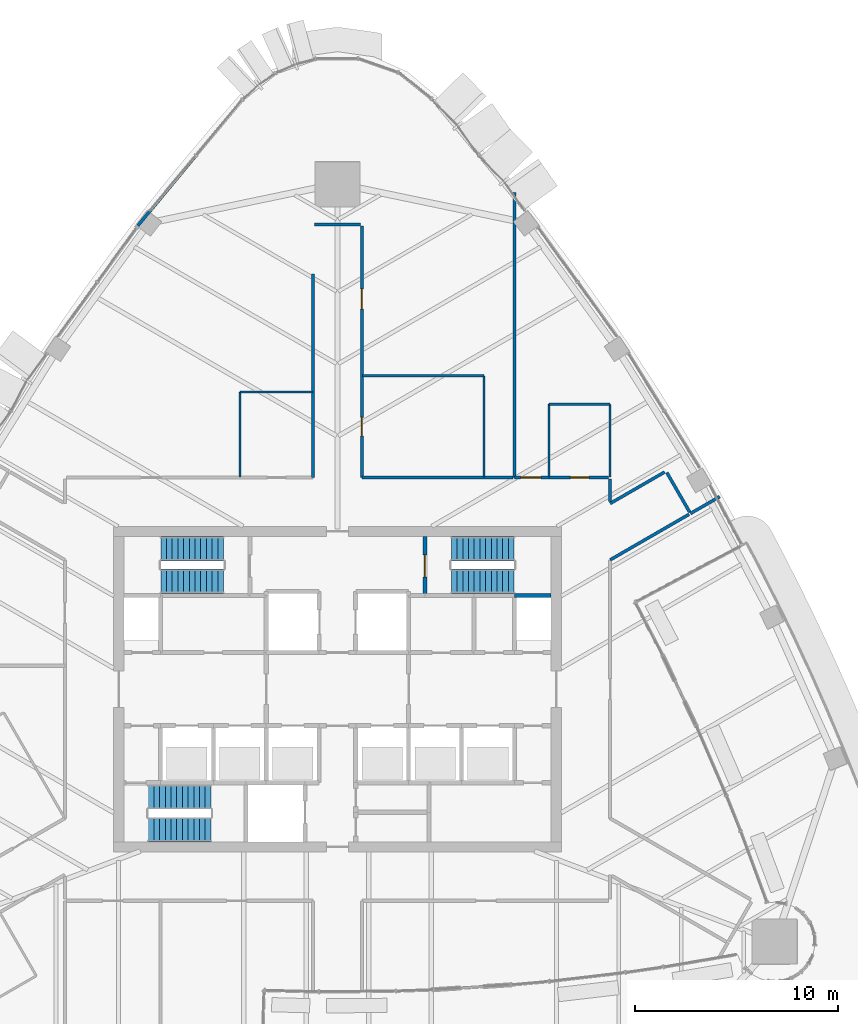
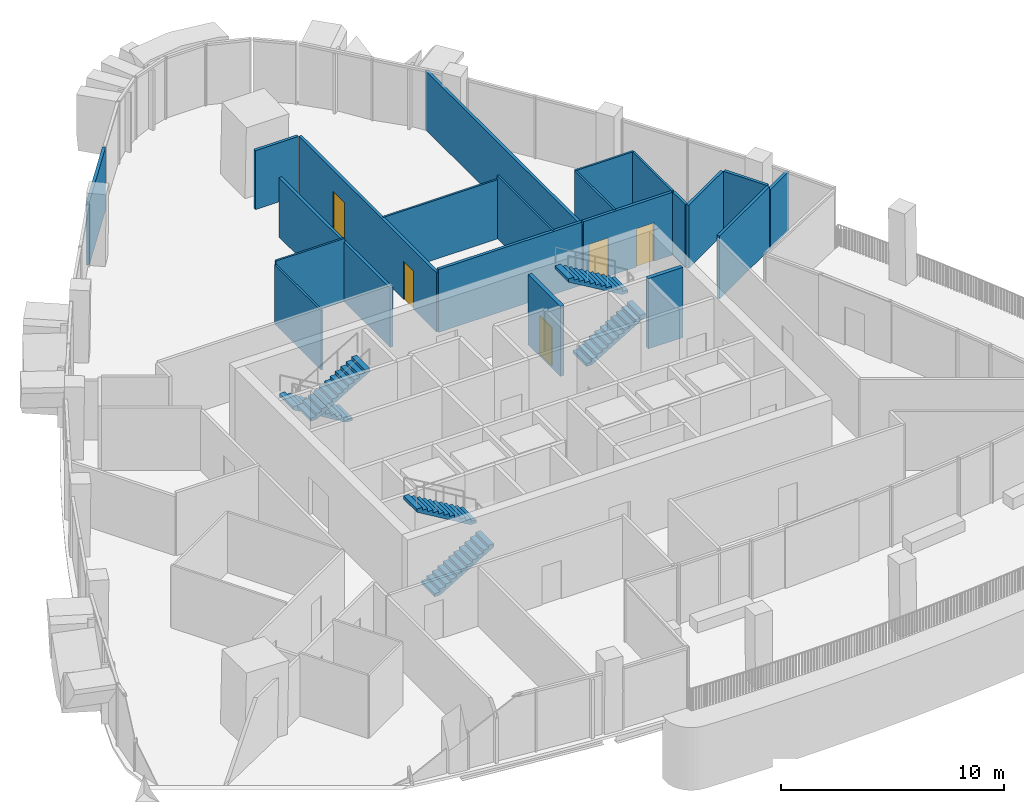
# One storey, part 16 of 21: 21 walls, 6 stair flights, 5 doors, 5 openings, 3 elements without a shape of their own.
"""IFC4 building model written with IfcOpenShell, lengths in metres."""

from ifc_helpers import new_model, si_unit, direction, frame, frame_2d, origin, place, context, subcontext, project, spatial, polyline, rectangle, outline, extrude, material, layer, layer_set, type_object, element, fill, aggregate, save


model = new_model("IFC4")

# Units and contexts
model_context = context("Model", 3, precision=1e-05, world=origin(), true_north=direction((0.0, 1.0)))
body_context = subcontext(model_context, "Body", "Model", "MODEL_VIEW")
ifc_project = project(units=[si_unit("LENGTHUNIT", "METRE"), si_unit("AREAUNIT", "SQUARE_METRE"), si_unit("VOLUMEUNIT", "CUBIC_METRE"), si_unit("PLANEANGLEUNIT", "RADIAN"), si_unit("MASSUNIT", "GRAM", prefix="KILO")], contexts=[model_context])

# Site, building, storey
site_placement = place(None, origin())
site = spatial("IfcSite", under=ifc_project, at=site_placement, CompositionType="ELEMENT")
building_placement = place(site_placement, origin())
building = spatial("IfcBuilding", under=site, at=building_placement, Name="Sierra Prisma Convention Tower", CompositionType="ELEMENT")
storey_placement = place(building_placement, frame((0.0, 0.0, 259.0)))
storey = spatial("IfcBuildingStorey", under=building, at=storey_placement, Name="L58", CompositionType="ELEMENT", Elevation=259.0)

# Walls
ifc_material_1 = material(Name="Gypsum board partition", Category="gypsum")
ifc_layer_1 = layer(ifc_material_1, 0.10009765625)
ifc_layer_set_1 = layer_set([ifc_layer_1], Name="Bathroom partition 100")
wall_type_1 = type_object("IfcWallType", Name="Bathroom partition 100", PredefinedType="PARTITIONING", material=ifc_layer_set_1)
wall_1_placement = place(storey_placement, frame((-4.800048828125, 10.429931640625, 0.0), z_axis=(0.0, 0.0, 1.0), x_axis=(0.0, 1.0, 0.0)))
element("IfcWall", 1, at=wall_1_placement, inside=storey, type_object=wall_type_1, Name="Partition L58 bath 7", PredefinedType="PARTITIONING", context=body_context, shape_type="SweptSolid", body=[
    extrude(rectangle(XDim=4.170166015625, YDim=0.10009765625, at=frame_2d((2.0849609375, 0.0))), origin(), (0.0, 0.0, 1.0), 3.2470703125),
])
wall_2_placement = place(storey_placement, frame((-4.800048828125, 14.60009765625, 0.0), z_axis=(0.0, 0.0, 1.0), x_axis=(1.0, 0.0, 0.0)))
element("IfcWall", 2, at=wall_2_placement, inside=storey, type_object=wall_type_1, Name="Partition L58 bath 8", PredefinedType="PARTITIONING", context=body_context, shape_type="SweptSolid", body=[
    extrude(rectangle(XDim=3.570068359375, YDim=0.10009765625, at=frame_2d((1.78515625, 0.0))), origin(), (0.0, 0.0, 1.0), 3.449951171875),
])
wall_3_placement = place(storey_placement, frame((1.22998046875, 15.39990234375, 0.0), z_axis=(0.0, 0.0, 1.0), x_axis=(1.0, 0.0, 0.0)))
element("IfcWall", 3, at=wall_3_placement, inside=storey, type_object=wall_type_1, Name="Partition L58 bath 9", PredefinedType="PARTITIONING", context=body_context, shape_type="SweptSolid", body=[
    extrude(rectangle(XDim=5.969970703125, YDim=0.10009765625, at=frame_2d((2.98486328125, 0.0))), origin(), (0.0, 0.0, 1.0), 3.2470703125),
])
wall_4_placement = place(storey_placement, frame((7.199951171875, 15.39990234375, 0.0), z_axis=(0.0, 0.0, 1.0), x_axis=(0.0, -1.0, 0.0)))
element("IfcWall", 4, at=wall_4_placement, inside=storey, type_object=wall_type_1, Name="Partition L58 bath 10", PredefinedType="PARTITIONING", context=body_context, shape_type="SweptSolid", body=[
    extrude(rectangle(XDim=4.969970703125, YDim=0.10009765625, at=frame_2d((2.48486328125, 0.0))), origin(), (0.0, 0.0, 1.0), 3.449951171875),
])
wall_5_placement = place(storey_placement, frame((10.39990234375, 10.429931640625, 0.0), z_axis=(0.0, 0.0, 1.0), x_axis=(0.0, 1.0, 0.0)))
element("IfcWall", 5, at=wall_5_placement, inside=storey, type_object=wall_type_1, Name="Partition L58 bath 11", PredefinedType="PARTITIONING", context=body_context, shape_type="SweptSolid", body=[
    extrude(rectangle(XDim=3.570068359375, YDim=0.10009765625, at=frame_2d((1.78515625, 0.0))), origin(), (0.0, 0.0, 1.0), 3.449951171875),
])
wall_6_placement = place(storey_placement, frame((10.39990234375, 14.0, 0.0), z_axis=(0.0, 0.0, 1.0), x_axis=(1.0, 0.0, 0.0)))
element("IfcWall", 6, at=wall_6_placement, inside=storey, type_object=wall_type_1, Name="Partition L58 bath 12", PredefinedType="PARTITIONING", context=body_context, shape_type="SweptSolid", body=[
    extrude(rectangle(XDim=3.0, YDim=0.10009765625, at=frame_2d((1.5, 0.0))), origin(), (0.0, 0.0, 1.0), 3.449951171875),
])
wall_7_placement = place(storey_placement, frame((13.39990234375, 14.0, 0.0), z_axis=(0.0, 0.0, 1.0), x_axis=(0.0, -1.0, 0.0)))
element("IfcWall", 7, at=wall_7_placement, inside=storey, type_object=wall_type_1, Name="Partition L58 bath 13", PredefinedType="PARTITIONING", context=body_context, shape_type="SweptSolid", body=[
    extrude(rectangle(XDim=3.570068359375, YDim=0.10009765625, at=frame_2d((1.78515625, 0.0))), origin(), (0.0, 0.0, 1.0), 3.443115234375),
])

# Wall, opening, door
ifc_material_2 = material(Name="Concrete C30/37", Category="concrete")
ifc_layer_2 = layer(ifc_material_2, 0.199951171875)
ifc_layer_set_2 = layer_set([ifc_layer_2], Name="Core wall RC 200 C30/37")
wall_type_2 = type_object("IfcWallType", Name="Core wall RC 200 C30/37", PredefinedType="SOLIDWALL", material=ifc_layer_set_2)
wall_8_placement = place(storey_placement, frame((4.300048828125, 7.5, 0.0), z_axis=(0.0, 0.0, 1.0), x_axis=(0.0, -1.0, 0.0)))
wall_8 = element("IfcWall", 8, at=wall_8_placement, inside=storey, type_object=wall_type_2, Name="Core wall L58 50", PredefinedType="SOLIDWALL", context=body_context, shape_type="SweptSolid", body=[
    extrude(rectangle(XDim=2.89990234375, YDim=0.199951171875, at=frame_2d((1.449951171875, 0.0))), origin(), (0.0, 0.0, 1.0), 3.85009765625),
])
opening_1_placement = place(wall_8_placement, frame((0.89990234375, 0.0, 0.0)))
opening_1 = element("IfcOpeningElement", 9, at=opening_1_placement, cuts=wall_8, Name="Opening L58-D021", PredefinedType="OPENING", context=body_context, shape_type="SweptSolid", body=[
    extrude(rectangle(XDim=1.10009765625, YDim=2.10009765625, at=frame_2d((0.550048828125, 1.050048828125))), frame((0.0, 0.10009765625, 0.0), z_axis=(0.0, -1.0, 0.0), x_axis=(1.0, 0.0, 0.0)), (0.0, 0.0, 1.0), 0.199951171875),
])
ifc_material_3 = material(Name="Steel fire door leaf", Category="steel")
door_type_1 = type_object("IfcDoorType", Name="Door 1100x2100 FD90S", OperationType="SINGLE_SWING_LEFT", PredefinedType="DOOR", material=ifc_material_3)
door_1_placement = place(opening_1_placement, origin())
door_1 = element("IfcDoor", 10, at=door_1_placement, inside=storey, type_object=door_type_1, Name="Door L58 34", OperationType="SINGLE_SWING_RIGHT", OverallHeight=2.10009765625, OverallWidth=1.10009765625, PredefinedType="DOOR", context=body_context, shape_type="SweptSolid", body=[
    extrude(rectangle(XDim=1.10009765625, YDim=2.10009765625, at=frame_2d((0.550048828125, 1.050048828125))), frame((0.0, 0.02490234375, 0.0), z_axis=(0.0, -1.0, 0.0), x_axis=(1.0, 0.0, 0.0)), (0.0, 0.0, 1.0), 0.050048828125),
])
fill(opening_1, door_1)

# Walls
wall_9_placement = place(storey_placement, frame((10.5, 4.60009765625, 0.0), z_axis=(0.0, 0.0, 1.0), x_axis=(-1.0, 0.0, 0.0)))
element("IfcWall", 11, at=wall_9_placement, inside=storey, type_object=wall_type_2, Name="Core wall L58 65", PredefinedType="SOLIDWALL", context=body_context, shape_type="SweptSolid", body=[
    extrude(rectangle(XDim=1.800048828125, YDim=0.199951171875, at=frame_2d((0.89990234375, 0.0))), origin(), (0.0, 0.0, 1.0), 3.85009765625),
])
ifc_material_4 = material(Name="Gypsum board partition", Category="gypsum")
ifc_layer_3 = layer(ifc_material_4, 0.14990234375)
ifc_layer_set_3 = layer_set([ifc_layer_3], Name="Corridor wall 150 gypsum EI 60")
wall_type_3 = type_object("IfcWallType", Name="Corridor wall 150 gypsum EI 60", PredefinedType="PARTITIONING", material=ifc_layer_set_3)
wall_10_placement = place(storey_placement, frame((-1.199951171875, 20.39990234375, 0.0), z_axis=(0.0, 0.0, 1.0), x_axis=(0.0, -1.0, 0.0)))
element("IfcWall", 12, at=wall_10_placement, inside=storey, type_object=wall_type_3, Name="Partition L58 corr 12", PredefinedType="PARTITIONING", context=body_context, shape_type="SweptSolid", body=[
    extrude(rectangle(XDim=10.0, YDim=0.14990234375, at=frame_2d((5.0, 0.0))), origin(), (0.0, 0.0, 1.0), 3.2470703125),
])
wall_11_placement = place(storey_placement, frame((1.1201171875, 22.839599609375, 0.0), z_axis=(0.0, 0.0, 1.0), x_axis=(-1.0, 0.0, 0.0)))
element("IfcWall", 13, at=wall_11_placement, inside=storey, type_object=wall_type_3, Name="Partition L58 corr 14", PredefinedType="PARTITIONING", context=body_context, shape_type="SweptSolid", body=[
    extrude(rectangle(XDim=2.240234375, YDim=0.14990234375, at=frame_2d((1.1201171875, 0.0))), origin(), (0.0, 0.0, 1.0), 3.23291015625),
])
wall_12_placement = place(storey_placement, frame((8.6201171875, 10.39990234375, 0.0), z_axis=(0.0, 0.0, 1.0), x_axis=(-1.0, 0.0, 0.0)))
element("IfcWall", 14, at=wall_12_placement, inside=storey, type_object=wall_type_3, Name="Partition L58 corr 17", PredefinedType="PARTITIONING", context=body_context, shape_type="SweptSolid", body=[
    extrude(rectangle(XDim=7.420166015625, YDim=0.14990234375, at=frame_2d((3.7099609375, 0.0))), origin(), (0.0, 0.0, 1.0), 3.449951171875),
])

# Wall, openings, doors
wall_13_placement = place(storey_placement, frame((1.199951171875, 10.39990234375, 0.0), z_axis=(0.0, 0.0, 1.0), x_axis=(0.0, 1.0, 0.0)))
wall_13 = element("IfcWall", 15, at=wall_13_placement, inside=storey, type_object=wall_type_3, Name="Partition L58 corr 18", PredefinedType="PARTITIONING", context=body_context, shape_type="SweptSolid", body=[
    extrude(rectangle(XDim=12.35986328125, YDim=0.14990234375, at=frame_2d((6.179931640625, 0.0))), origin(), (0.0, 0.0, 1.0), 3.2470703125),
])
opening_2_placement = place(wall_13_placement, frame((2.050048828125, 0.0, 0.0)))
opening_2 = element("IfcOpeningElement", 16, at=opening_2_placement, cuts=wall_13, Name="Opening L58-D031", PredefinedType="OPENING", context=body_context, shape_type="SweptSolid", body=[
    extrude(rectangle(XDim=0.89990234375, YDim=2.10009765625, at=frame_2d((0.449951171875, 1.050048828125))), frame((0.0, 0.074951171875, 0.0), z_axis=(0.0, -1.0, 0.0), x_axis=(1.0, 0.0, 0.0)), (0.0, 0.0, 1.0), 0.14990234375),
])
opening_3_placement = place(wall_13_placement, frame((8.27001953125, 0.0, 0.0)))
opening_3 = element("IfcOpeningElement", 17, at=opening_3_placement, cuts=wall_13, Name="Opening L58-D032", PredefinedType="OPENING", context=body_context, shape_type="SweptSolid", body=[
    extrude(rectangle(XDim=1.0, YDim=2.10009765625, at=frame_2d((0.5, 1.050048828125))), frame((0.0, 0.074951171875, 0.0), z_axis=(0.0, -1.0, 0.0), x_axis=(1.0, 0.0, 0.0)), (0.0, 0.0, 1.0), 0.14990234375),
])
ifc_material_5 = material(Name="Steel fire door leaf", Category="steel")
door_type_2 = type_object("IfcDoorType", Name="Door 1000x2100 FD30S", OperationType="SINGLE_SWING_LEFT", PredefinedType="DOOR", material=ifc_material_5)
door_2_placement = place(opening_3_placement, origin())
door_2 = element("IfcDoor", 18, at=door_2_placement, inside=storey, type_object=door_type_2, Name="Door L58 4", OperationType="SINGLE_SWING_RIGHT", OverallHeight=2.10009765625, OverallWidth=1.0, PredefinedType="DOOR", context=body_context, shape_type="SweptSolid", body=[
    extrude(rectangle(XDim=1.0, YDim=2.10009765625, at=frame_2d((0.5, 1.050048828125))), frame((0.0, 0.02490234375, 0.0), z_axis=(0.0, -1.0, 0.0), x_axis=(1.0, 0.0, 0.0)), (0.0, 0.0, 1.0), 0.050048828125),
])
fill(opening_3, door_2)
ifc_material_6 = material(Name="Steel fire door leaf", Category="steel")
door_type_3 = type_object("IfcDoorType", Name="Door 900x2100 FD30S", OperationType="SINGLE_SWING_LEFT", PredefinedType="DOOR", material=ifc_material_6)
door_3_placement = place(opening_2_placement, origin())
door_3 = element("IfcDoor", 19, at=door_3_placement, inside=storey, type_object=door_type_3, Name="Door L58 3", OperationType="SINGLE_SWING_LEFT", OverallHeight=2.10009765625, OverallWidth=0.89990234375, PredefinedType="DOOR", context=body_context, shape_type="SweptSolid", body=[
    extrude(rectangle(XDim=0.89990234375, YDim=2.10009765625, at=frame_2d((0.449951171875, 1.050048828125))), frame((0.0, 0.02490234375, 0.0), z_axis=(0.0, -1.0, 0.0), x_axis=(1.0, 0.0, 0.0)), (0.0, 0.0, 1.0), 0.050048828125),
])
fill(opening_2, door_3)

wall_14_placement = place(storey_placement, frame((13.320068359375, 10.39990234375, 0.0), z_axis=(0.0, 0.0, 1.0), x_axis=(-1.0, 0.0, 0.0)))
wall_14 = element("IfcWall", 20, at=wall_14_placement, inside=storey, type_object=wall_type_3, Name="Partition L58 corr 19", PredefinedType="PARTITIONING", context=body_context, shape_type="SweptSolid", body=[
    extrude(rectangle(XDim=4.6201171875, YDim=0.14990234375, at=frame_2d((2.31005859375, 0.0))), origin(), (0.0, 0.0, 1.0), 3.443115234375),
])
opening_4_placement = place(wall_14_placement, frame((0.969970703125, 0.0, 0.0)))
opening_4 = element("IfcOpeningElement", 21, at=opening_4_placement, cuts=wall_14, Name="Opening L58-D029", PredefinedType="OPENING", context=body_context, shape_type="SweptSolid", body=[
    extrude(rectangle(XDim=0.89990234375, YDim=2.10009765625, at=frame_2d((0.449951171875, 1.050048828125))), frame((0.0, 0.074951171875, 0.0), z_axis=(0.0, -1.0, 0.0), x_axis=(1.0, 0.0, 0.0)), (0.0, 0.0, 1.0), 0.14990234375),
])
opening_5_placement = place(wall_14_placement, frame((3.320068359375, 0.0, 0.0)))
opening_5 = element("IfcOpeningElement", 22, at=opening_5_placement, cuts=wall_14, Name="Opening L58-D030", PredefinedType="OPENING", context=body_context, shape_type="SweptSolid", body=[
    extrude(rectangle(XDim=1.0, YDim=2.10009765625, at=frame_2d((0.5, 1.050048828125))), frame((0.0, 0.074951171875, 0.0), z_axis=(0.0, -1.0, 0.0), x_axis=(1.0, 0.0, 0.0)), (0.0, 0.0, 1.0), 0.14990234375),
])
door_4_placement = place(opening_5_placement, origin())
door_4 = element("IfcDoor", 23, at=door_4_placement, inside=storey, type_object=door_type_2, Name="Door L58 2", OperationType="SINGLE_SWING_LEFT", OverallHeight=2.10009765625, OverallWidth=1.0, PredefinedType="DOOR", context=body_context, shape_type="SweptSolid", body=[
    extrude(rectangle(XDim=1.0, YDim=2.10009765625, at=frame_2d((0.5, 1.050048828125))), frame((0.0, 0.02490234375, 0.0), z_axis=(0.0, -1.0, 0.0), x_axis=(1.0, 0.0, 0.0)), (0.0, 0.0, 1.0), 0.050048828125),
])
fill(opening_5, door_4)
door_5_placement = place(opening_4_placement, origin())
door_5 = element("IfcDoor", 24, at=door_5_placement, inside=storey, type_object=door_type_3, Name="Door L58 1", OperationType="SINGLE_SWING_RIGHT", OverallHeight=2.10009765625, OverallWidth=0.89990234375, PredefinedType="DOOR", context=body_context, shape_type="SweptSolid", body=[
    extrude(rectangle(XDim=0.89990234375, YDim=2.10009765625, at=frame_2d((0.449951171875, 1.050048828125))), frame((0.0, 0.02490234375, 0.0), z_axis=(0.0, -1.0, 0.0), x_axis=(1.0, 0.0, 0.0)), (0.0, 0.0, 1.0), 0.050048828125),
])
fill(opening_4, door_5)

# Walls
wall_15_placement = place(storey_placement, frame((16.078369140625, 10.66845703125, 0.0), z_axis=(0.0, 0.0, 1.0), x_axis=(-0.866029156965, -0.499993499245, 0.0)))
element("IfcWall", 25, at=wall_15_placement, inside=storey, type_object=wall_type_3, Name="Partition L58 corr 22", PredefinedType="PARTITIONING", context=body_context, shape_type="SweptSolid", body=[
    extrude(rectangle(XDim=3.0927734375, YDim=0.14990234375, at=frame_2d((1.54638671875, 0.0))), origin(), (0.0, 0.0, 1.0), 3.449951171875),
])
wall_16_placement = place(storey_placement, frame((13.39990234375, 9.213623046875, 0.0), z_axis=(0.0, 0.0, 1.0), x_axis=(0.0, 1.0, 0.0)))
element("IfcWall", 26, at=wall_16_placement, inside=storey, type_object=wall_type_3, Name="Partition L58 corr 23", PredefinedType="PARTITIONING", context=body_context, shape_type="SweptSolid", body=[
    extrude(rectangle(XDim=1.1064453125, YDim=0.14990234375, at=frame_2d((0.55322265625, 0.0))), origin(), (0.0, 0.0, 1.0), 3.449951171875),
])
wall_17_placement = place(storey_placement, frame((17.3076171875, 8.69921875, 0.0), z_axis=(0.0, 0.0, 1.0), x_axis=(-0.500030632641, 0.866007717299, 0.0)))
element("IfcWall", 27, at=wall_17_placement, inside=storey, type_object=wall_type_3, Name="Partition L58 corr 24", PredefinedType="PARTITIONING", context=body_context, shape_type="SweptSolid", body=[
    extrude(rectangle(XDim=2.239990234375, YDim=0.14990234375, at=frame_2d((1.1201171875, 0.0))), origin(), (0.0, 0.0, 1.0), 3.449951171875),
])
wall_18_placement = place(storey_placement, frame((13.39990234375, 6.350830078125, 0.0), z_axis=(0.0, 0.0, 1.0), x_axis=(0.866020361036, 0.500008734195, 0.0)))
element("IfcWall", 28, at=wall_18_placement, inside=storey, type_object=wall_type_3, Name="Partition L58 corr 27", PredefinedType="PARTITIONING", context=body_context, shape_type="SweptSolid", body=[
    extrude(rectangle(XDim=4.478515625, YDim=0.14990234375, at=frame_2d((2.2392578125, 0.0))), origin(), (0.0, 0.0, 1.0), 3.449951171875),
])
ifc_material_7 = material(Name="Gypsum board partition", Category="gypsum")
ifc_layer_4 = layer(ifc_material_7, 0.14990234375)
ifc_layer_set_4 = layer_set([ifc_layer_4], Name="Party wall 150 gypsum")
wall_type_4 = type_object("IfcWallType", Name="Party wall 150 gypsum", PredefinedType="PARTITIONING", material=ifc_layer_set_4)
wall_19_placement = place(storey_placement, frame((-9.806396484375, 22.77734375, 0.0), z_axis=(0.0, 0.0, 1.0), x_axis=(0.637679563121, 0.770301742682, 0.0)))
element("IfcWall", 29, at=wall_19_placement, inside=storey, type_object=wall_type_4, Name="Partition L58 party 6", PredefinedType="PARTITIONING", context=body_context, shape_type="SweptSolid", body=[
    extrude(rectangle(XDim=4.377685546875, YDim=0.14990234375, at=frame_2d((2.18896484375, 0.0))), origin(), (0.0, 0.0, 1.0), 3.449951171875),
])
wall_20_placement = place(storey_placement, frame((8.699951171875, 10.39990234375, 0.0), z_axis=(0.0, 0.0, 1.0), x_axis=(0.0, 1.0, 0.0)))
element("IfcWall", 30, at=wall_20_placement, inside=storey, type_object=wall_type_4, Name="Partition L58 party 8", PredefinedType="PARTITIONING", context=body_context, shape_type="SweptSolid", body=[
    extrude(rectangle(XDim=14.001708984375, YDim=0.14990234375, at=frame_2d((7.0009765625, 0.0))), origin(), (0.0, 0.0, 1.0), 3.23388671875),
])
wall_21_placement = place(storey_placement, frame((18.781982421875, 9.458251953125, 0.0), z_axis=(0.0, 0.0, 1.0), x_axis=(-0.865994143547, -0.500054140411, 0.0)))
element("IfcWall", 31, at=wall_21_placement, inside=storey, type_object=wall_type_4, Name="Partition L58 party 9", PredefinedType="PARTITIONING", context=body_context, shape_type="SweptSolid", body=[
    extrude(rectangle(XDim=1.656494140625, YDim=0.14990234375, at=frame_2d((0.828125, 0.0))), origin(), (0.0, 0.0, 1.0), 3.23388671875),
])

# Stair, stair flights
ifc_material_8 = material(Name="Concrete C30/37", Category="concrete")
stair_type = type_object("IfcStairType", Name="Stair dog-leg 1200 RC", PredefinedType="HALF_TURN_STAIR", material=ifc_material_8)
stair_1_placement = place(storey_placement, origin())
stair_1 = element("IfcStair", 32, at=stair_1_placement, inside=storey, type_object=stair_type, Name="L58 S1", PredefinedType="HALF_TURN_STAIR")
ifc_material_9 = material(Name="Concrete C30/37", Category="concrete")
stair_flight_type = type_object("IfcStairFlightType", Name="Stair flight RC 1200", PredefinedType="STRAIGHT", material=ifc_material_9)
stair_flight_1_placement = place(storey_placement, frame((-9.300048828125, -6.89990234375, 0.0), z_axis=(0.0, 0.0, 1.0), x_axis=(1.0, 0.0, 0.0)))
stair_flight_1 = element("IfcStairFlight", 33, at=stair_flight_1_placement, type_object=stair_flight_type, Name="S1 flight 1", NumberOfRisers=12, NumberOfTreads=11, PredefinedType="STRAIGHT", RiserHeight=0.166666667, TreadLength=0.28, context=body_context, shape_type="SweptSolid", body=[
    extrude(outline(polyline([(0.0, 0.0), (0.0, 0.166748046875), (0.280029296875, 0.166748046875), (0.280029296875, 0.333251953125), (0.56005859375, 0.333251953125), (0.56005859375, 0.5), (0.840087890625, 0.5), (0.840087890625, 0.666748046875), (1.1201171875, 0.666748046875), (1.1201171875, 0.833251953125), (1.39990234375, 0.833251953125), (1.39990234375, 1.0), (1.679931640625, 1.0), (1.679931640625, 1.166748046875), (1.9599609375, 1.166748046875), (1.9599609375, 1.333251953125), (2.239990234375, 1.333251953125), (2.239990234375, 1.5), (2.52001953125, 1.5), (2.52001953125, 1.666748046875), (2.800048828125, 1.666748046875), (2.800048828125, 1.833251953125), (3.080078125, 1.833251953125), (3.080078125, 2.0), (3.080078125, 1.658935546875), (0.29296875, 0.0), (0.0, 0.0)])), frame((0.0, 0.60009765625, 0.0), z_axis=(0.0, -1.0, 0.0), x_axis=(1.0, 0.0, 0.0)), (0.0, 0.0, 1.0), 1.199951171875),
])
stair_flight_2_placement = place(storey_placement, frame((-6.219970703125, -5.300048828125, 2.0), z_axis=(0.0, 0.0, 1.0), x_axis=(-1.0, 0.0, 0.0)))
stair_flight_2 = element("IfcStairFlight", 34, at=stair_flight_2_placement, type_object=stair_flight_type, Name="S1 flight 2", NumberOfRisers=12, NumberOfTreads=11, PredefinedType="STRAIGHT", RiserHeight=0.166666667, TreadLength=0.28, context=body_context, shape_type="SweptSolid", body=[
    extrude(outline(polyline([(0.0, 0.0), (0.0, 0.166748046875), (0.280029296875, 0.166748046875), (0.280029296875, 0.333251953125), (0.56005859375, 0.333251953125), (0.56005859375, 0.5), (0.840087890625, 0.5), (0.840087890625, 0.666748046875), (1.1201171875, 0.666748046875), (1.1201171875, 0.833251953125), (1.39990234375, 0.833251953125), (1.39990234375, 1.0), (1.679931640625, 1.0), (1.679931640625, 1.166748046875), (1.9599609375, 1.166748046875), (1.9599609375, 1.333251953125), (2.239990234375, 1.333251953125), (2.239990234375, 1.5), (2.52001953125, 1.5), (2.52001953125, 1.666748046875), (2.800048828125, 1.666748046875), (2.800048828125, 1.833251953125), (3.080078125, 1.833251953125), (3.080078125, 2.0), (3.080078125, 1.658935546875), (0.29296875, 0.0), (0.0, 0.0)])), frame((0.0, 0.60009765625, 0.0), z_axis=(0.0, -1.0, 0.0), x_axis=(1.0, 0.0, 0.0)), (0.0, 0.0, 1.0), 1.199951171875),
])
aggregate(stair_1, [stair_flight_1, stair_flight_2])

stair_2_placement = place(storey_placement, origin())
stair_2 = element("IfcStair", 35, at=stair_2_placement, inside=storey, type_object=stair_type, Name="L58 S3", PredefinedType="HALF_TURN_STAIR")
stair_flight_3_placement = place(storey_placement, frame((-5.60009765625, 6.89990234375, 0.0), z_axis=(0.0, 0.0, 1.0), x_axis=(-1.0, 0.0, 0.0)))
stair_flight_3 = element("IfcStairFlight", 36, at=stair_flight_3_placement, type_object=stair_flight_type, Name="S3 flight 1", NumberOfRisers=12, NumberOfTreads=11, PredefinedType="STRAIGHT", RiserHeight=0.166666667, TreadLength=0.28, context=body_context, shape_type="SweptSolid", body=[
    extrude(outline(polyline([(0.0, 0.0), (0.0, 0.166748046875), (0.280029296875, 0.166748046875), (0.280029296875, 0.333251953125), (0.56005859375, 0.333251953125), (0.56005859375, 0.5), (0.840087890625, 0.5), (0.840087890625, 0.666748046875), (1.1201171875, 0.666748046875), (1.1201171875, 0.833251953125), (1.39990234375, 0.833251953125), (1.39990234375, 1.0), (1.679931640625, 1.0), (1.679931640625, 1.166748046875), (1.9599609375, 1.166748046875), (1.9599609375, 1.333251953125), (2.239990234375, 1.333251953125), (2.239990234375, 1.5), (2.52001953125, 1.5), (2.52001953125, 1.666748046875), (2.800048828125, 1.666748046875), (2.800048828125, 1.833251953125), (3.080078125, 1.833251953125), (3.080078125, 2.0), (3.080078125, 1.658935546875), (0.29296875, 0.0), (0.0, 0.0)])), frame((0.0, 0.60009765625, 0.0), z_axis=(0.0, -1.0, 0.0), x_axis=(1.0, 0.0, 0.0)), (0.0, 0.0, 1.0), 1.199951171875),
])
stair_flight_4_placement = place(storey_placement, frame((-8.679931640625, 5.300048828125, 2.0), z_axis=(0.0, 0.0, 1.0), x_axis=(1.0, 0.0, 0.0)))
stair_flight_4 = element("IfcStairFlight", 37, at=stair_flight_4_placement, type_object=stair_flight_type, Name="S3 flight 2", NumberOfRisers=12, NumberOfTreads=11, PredefinedType="STRAIGHT", RiserHeight=0.166666667, TreadLength=0.28, context=body_context, shape_type="SweptSolid", body=[
    extrude(outline(polyline([(0.0, 0.0), (0.0, 0.166748046875), (0.280029296875, 0.166748046875), (0.280029296875, 0.333251953125), (0.56005859375, 0.333251953125), (0.56005859375, 0.5), (0.840087890625, 0.5), (0.840087890625, 0.666748046875), (1.1201171875, 0.666748046875), (1.1201171875, 0.833251953125), (1.39990234375, 0.833251953125), (1.39990234375, 1.0), (1.679931640625, 1.0), (1.679931640625, 1.166748046875), (1.9599609375, 1.166748046875), (1.9599609375, 1.333251953125), (2.239990234375, 1.333251953125), (2.239990234375, 1.5), (2.52001953125, 1.5), (2.52001953125, 1.666748046875), (2.800048828125, 1.666748046875), (2.800048828125, 1.833251953125), (3.080078125, 1.833251953125), (3.080078125, 2.0), (3.080078125, 1.658935546875), (0.29296875, 0.0), (0.0, 0.0)])), frame((0.0, 0.60009765625, 0.0), z_axis=(0.0, -1.0, 0.0), x_axis=(1.0, 0.0, 0.0)), (0.0, 0.0, 1.0), 1.199951171875),
])
aggregate(stair_2, [stair_flight_3, stair_flight_4])

stair_3_placement = place(storey_placement, origin())
stair_3 = element("IfcStair", 38, at=stair_3_placement, inside=storey, type_object=stair_type, Name="L58 S4", PredefinedType="HALF_TURN_STAIR")
stair_flight_5_placement = place(storey_placement, frame((5.60009765625, 5.300048828125, 0.0), z_axis=(0.0, 0.0, 1.0), x_axis=(1.0, 0.0, 0.0)))
stair_flight_5 = element("IfcStairFlight", 39, at=stair_flight_5_placement, type_object=stair_flight_type, Name="S4 flight 1", NumberOfRisers=12, NumberOfTreads=11, PredefinedType="STRAIGHT", RiserHeight=0.166666667, TreadLength=0.28, context=body_context, shape_type="SweptSolid", body=[
    extrude(outline(polyline([(0.0, 0.0), (0.0, 0.166748046875), (0.280029296875, 0.166748046875), (0.280029296875, 0.333251953125), (0.56005859375, 0.333251953125), (0.56005859375, 0.5), (0.840087890625, 0.5), (0.840087890625, 0.666748046875), (1.1201171875, 0.666748046875), (1.1201171875, 0.833251953125), (1.39990234375, 0.833251953125), (1.39990234375, 1.0), (1.679931640625, 1.0), (1.679931640625, 1.166748046875), (1.9599609375, 1.166748046875), (1.9599609375, 1.333251953125), (2.239990234375, 1.333251953125), (2.239990234375, 1.5), (2.52001953125, 1.5), (2.52001953125, 1.666748046875), (2.800048828125, 1.666748046875), (2.800048828125, 1.833251953125), (3.080078125, 1.833251953125), (3.080078125, 2.0), (3.080078125, 1.658935546875), (0.29296875, 0.0), (0.0, 0.0)])), frame((0.0, 0.60009765625, 0.0), z_axis=(0.0, -1.0, 0.0), x_axis=(1.0, 0.0, 0.0)), (0.0, 0.0, 1.0), 1.199951171875),
])
stair_flight_6_placement = place(storey_placement, frame((8.679931640625, 6.89990234375, 2.0), z_axis=(0.0, 0.0, 1.0), x_axis=(-1.0, 0.0, 0.0)))
stair_flight_6 = element("IfcStairFlight", 40, at=stair_flight_6_placement, type_object=stair_flight_type, Name="S4 flight 2", NumberOfRisers=12, NumberOfTreads=11, PredefinedType="STRAIGHT", RiserHeight=0.166666667, TreadLength=0.28, context=body_context, shape_type="SweptSolid", body=[
    extrude(outline(polyline([(0.0, 0.0), (0.0, 0.166748046875), (0.280029296875, 0.166748046875), (0.280029296875, 0.333251953125), (0.56005859375, 0.333251953125), (0.56005859375, 0.5), (0.840087890625, 0.5), (0.840087890625, 0.666748046875), (1.1201171875, 0.666748046875), (1.1201171875, 0.833251953125), (1.39990234375, 0.833251953125), (1.39990234375, 1.0), (1.679931640625, 1.0), (1.679931640625, 1.166748046875), (1.9599609375, 1.166748046875), (1.9599609375, 1.333251953125), (2.239990234375, 1.333251953125), (2.239990234375, 1.5), (2.52001953125, 1.5), (2.52001953125, 1.666748046875), (2.800048828125, 1.666748046875), (2.800048828125, 1.833251953125), (3.080078125, 1.833251953125), (3.080078125, 2.0), (3.080078125, 1.658935546875), (0.29296875, 0.0), (0.0, 0.0)])), frame((0.0, 0.60009765625, 0.0), z_axis=(0.0, -1.0, 0.0), x_axis=(1.0, 0.0, 0.0)), (0.0, 0.0, 1.0), 1.199951171875),
])
aggregate(stair_3, [stair_flight_5, stair_flight_6])

save(model, "model.ifc")
